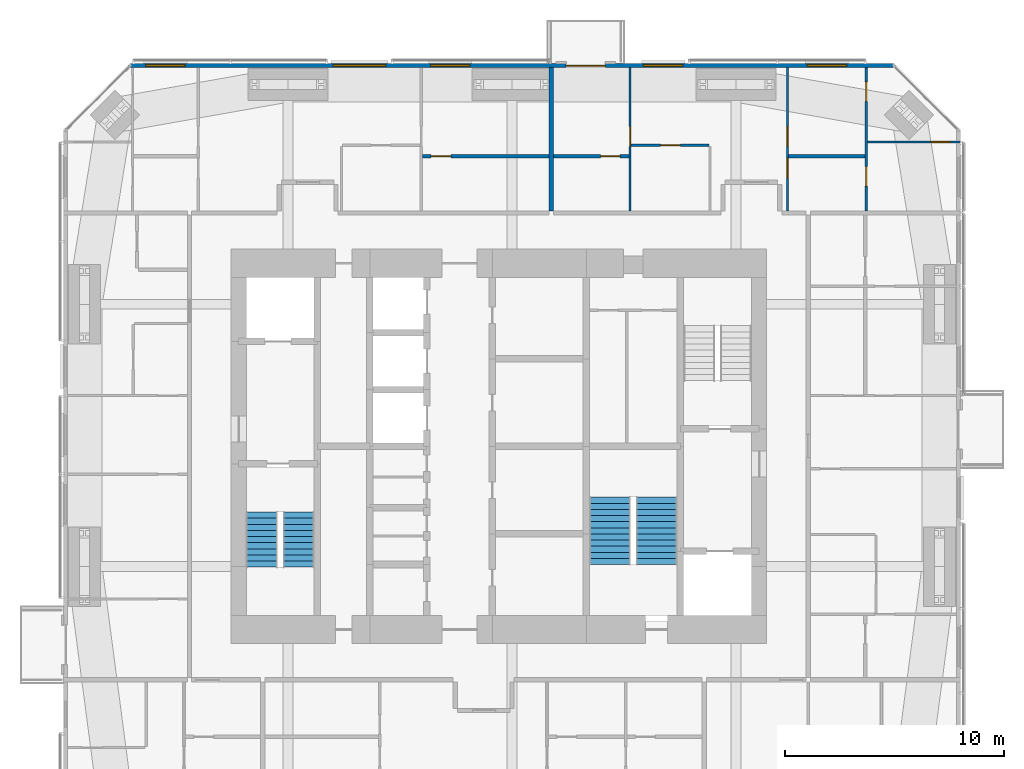
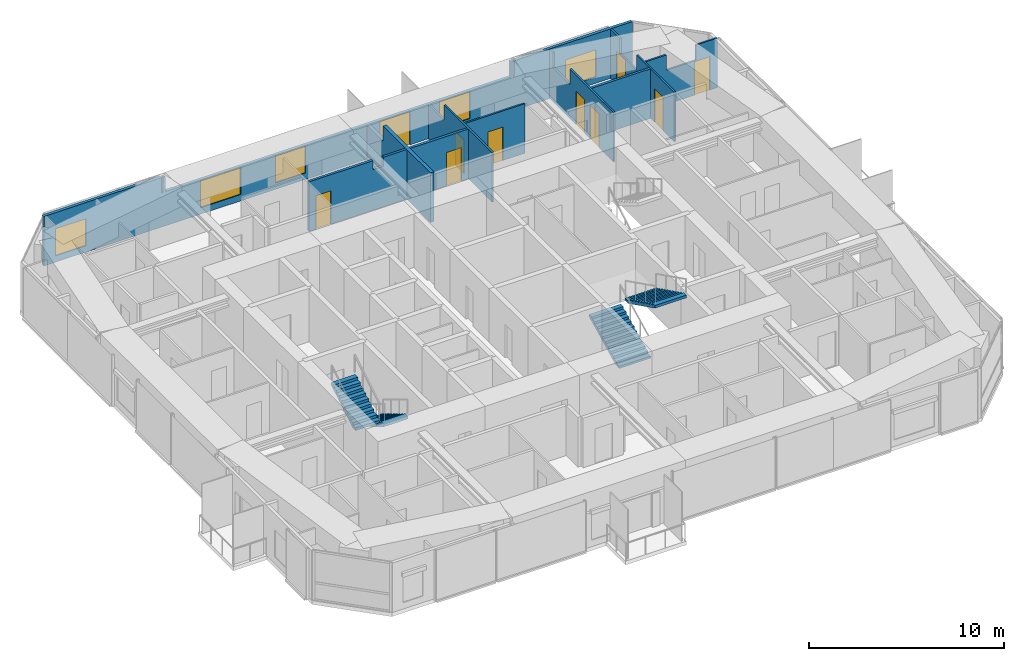
# One storey, part 21 of 23: 10 doors, 10 walls, 5 windows, 4 stair flights, 15 openings, 2 elements without a shape of their own.
"""IFC4 building model written with IfcOpenShell, lengths in metres."""

from ifc_helpers import new_model, si_unit, direction, frame, frame_2d, origin, place, context, subcontext, project, spatial, polyline, rectangle, outline, extrude, material, constituent, constituent_set, type_object, element, fill, aggregate, save


model = new_model("IFC4")

# Units and contexts
model_context = context("Model", 3, precision=1e-05, world=origin(), true_north=direction((0.0, 1.0)))
body_context = subcontext(model_context, "Body", "Model", "MODEL_VIEW")
ifc_project = project(units=[si_unit("LENGTHUNIT", "METRE"), si_unit("AREAUNIT", "SQUARE_METRE"), si_unit("VOLUMEUNIT", "CUBIC_METRE"), si_unit("PLANEANGLEUNIT", "RADIAN"), si_unit("MASSUNIT", "GRAM", prefix="KILO")], contexts=[model_context])

# Site, building, storey
site_placement = place(None, origin())
site = spatial("IfcSite", under=ifc_project, at=site_placement, CompositionType="ELEMENT")
building_placement = place(site_placement, origin())
building = spatial("IfcBuilding", under=site, at=building_placement, Name="Jalousie Tower", CompositionType="ELEMENT")
storey_placement = place(building_placement, frame((0.0, 0.0, 194.550048828125)))
storey = spatial("IfcBuildingStorey", under=building, at=storey_placement, Name="L53", CompositionType="ELEMENT", Elevation=194.550048828125)

# Wall, opening, door
ifc_material_1 = material(Name="Concrete block ASTM C90", Category="concrete")
ifc_constituent_1 = constituent(ifc_material_1, Name="Body")
ifc_material_2 = material(Name="Render")
ifc_constituent_2 = constituent(ifc_material_2, Name="Finish")
ifc_constituent_set_1 = constituent_set(constituents=[ifc_constituent_1, ifc_constituent_2])
wall_type_1 = type_object("IfcWallType", Name="BATHROOM WALL 150", PredefinedType="PLUMBINGWALL", material=ifc_constituent_set_1)
wall_1_placement = place(storey_placement, frame((28.39990234375, 31.77490234375, 0.0), z_axis=(0.0, 0.0, 1.0), x_axis=(1.0, 0.0, 0.0)))
wall_1 = element("IfcWall", 1, at=wall_1_placement, inside=storey, type_object=wall_type_1, Name="Bathroom Wall 150 L53", PredefinedType="PLUMBINGWALL", context=body_context, shape_type="SweptSolid", body=[
    extrude(outline(polyline([(0.0, 0.0), (5.800048828125, 0.0), (5.800048828125, 3.10986328125), (4.412353515625, 3.10986328125), (4.412353515625, 2.541015625), (3.78759765625, 2.541015625), (3.78759765625, 3.10986328125), (0.0, 3.10986328125), (0.0, 0.0)])), frame((0.0, 0.074951171875, 0.0), z_axis=(0.0, -1.0, 0.0), x_axis=(1.0, 0.0, 0.0)), (0.0, 0.0, 1.0), 0.14990234375),
])
opening_1_placement = place(wall_1_placement, frame((0.39990234375, 0.0, 0.0)))
opening_1 = element("IfcOpeningElement", 2, at=opening_1_placement, cuts=wall_1, Name="Opening D3", PredefinedType="OPENING", context=body_context, shape_type="SweptSolid", body=[
    extrude(rectangle(XDim=0.89990234375, YDim=2.10009765625, at=frame_2d((0.449951171875, 1.050048828125))), frame((0.0, 0.0849609375, 0.0), z_axis=(0.0, -1.0, 0.0), x_axis=(1.0, 0.0, 0.0)), (0.0, 0.0, 1.0), 0.169921875),
])
ifc_material_3 = material(Name="Timber door", Category="wood")
door_type_1 = type_object("IfcDoorType", Name="BATHROOM DOOR 900", OperationType="SINGLE_SWING_LEFT", PredefinedType="DOOR", material=ifc_material_3)
door_1_placement = place(opening_1_placement, frame((0.89990234375, 0.0, 0.0), z_axis=(0.0, 0.0, 1.0), x_axis=(-1.0, 0.0, 0.0)))
door_1 = element("IfcDoor", 3, at=door_1_placement, inside=storey, type_object=door_type_1, Name="Apartment 5304 bedroom 3 bathroom door", OperationType="SINGLE_SWING_RIGHT", OverallHeight=2.10009765625, OverallWidth=0.89990234375, PredefinedType="DOOR", context=body_context, shape_type="SweptSolid", body=[
    extrude(rectangle(XDim=0.89990234375, YDim=2.10009765625, at=frame_2d((0.449951171875, 1.050048828125))), frame((0.0, 0.02490234375, 0.0), z_axis=(0.0, -1.0, 0.0), x_axis=(1.0, 0.0, 0.0)), (0.0, 0.0, 1.0), 0.050048828125),
])
fill(opening_1, door_1)

wall_2_placement = place(storey_placement, frame((34.39990234375, 31.77490234375, 0.0), z_axis=(0.0, 0.0, 1.0), x_axis=(1.0, 0.0, 0.0)))
wall_2 = element("IfcWall", 4, at=wall_2_placement, inside=storey, type_object=wall_type_1, Name="Bathroom Wall 150 L53", PredefinedType="PLUMBINGWALL", context=body_context, shape_type="SweptSolid", body=[
    extrude(rectangle(XDim=3.4501953125, YDim=0.14990234375, at=frame_2d((1.72509765625, 0.0))), origin(), (0.0, 0.0, 1.0), 3.10986328125),
])
opening_2_placement = place(wall_2_placement, frame((2.14990234375, 0.0, 0.0)))
opening_2 = element("IfcOpeningElement", 5, at=opening_2_placement, cuts=wall_2, Name="Opening D3", PredefinedType="OPENING", context=body_context, shape_type="SweptSolid", body=[
    extrude(rectangle(XDim=0.89990234375, YDim=2.10009765625, at=frame_2d((0.449951171875, 1.050048828125))), frame((0.0, 0.0849609375, 0.0), z_axis=(0.0, -1.0, 0.0), x_axis=(1.0, 0.0, 0.0)), (0.0, 0.0, 1.0), 0.169921875),
])
door_2_placement = place(opening_2_placement, frame((0.89990234375, 0.0, 0.0), z_axis=(0.0, 0.0, 1.0), x_axis=(-1.0, 0.0, 0.0)))
door_2 = element("IfcDoor", 6, at=door_2_placement, inside=storey, type_object=door_type_1, Name="Apartment 5305 bedroom 1 bathroom door", OperationType="SINGLE_SWING_LEFT", OverallHeight=2.10009765625, OverallWidth=0.89990234375, PredefinedType="DOOR", context=body_context, shape_type="SweptSolid", body=[
    extrude(rectangle(XDim=0.89990234375, YDim=2.10009765625, at=frame_2d((0.449951171875, 1.050048828125))), frame((0.0, 0.02490234375, 0.0), z_axis=(0.0, -1.0, 0.0), x_axis=(1.0, 0.0, 0.0)), (0.0, 0.0, 1.0), 0.050048828125),
])
fill(opening_2, door_2)

# Wall
wall_3_placement = place(storey_placement, frame((45.14990234375, 31.77490234375, 0.0), z_axis=(0.0, 0.0, 1.0), x_axis=(1.0, 0.0, 0.0)))
element("IfcWall", 7, at=wall_3_placement, inside=storey, type_object=wall_type_1, Name="Bathroom Wall 150 L53", PredefinedType="PLUMBINGWALL", context=body_context, shape_type="SweptSolid", body=[
    extrude(rectangle(XDim=3.5, YDim=0.14990234375, at=frame_2d((1.75, 0.0))), origin(), (0.0, 0.0, 1.0), 3.10986328125),
])

# Wall, openings, door, windows
ifc_material_4 = material(Name="Concrete f'c 40 MPa", Category="concrete")
ifc_constituent_3 = constituent(ifc_material_4, Name="Body")
ifc_material_5 = material(Name="Render, pastel lemon")
ifc_constituent_4 = constituent(ifc_material_5, Name="Finish")
ifc_constituent_set_2 = constituent_set(constituents=[ifc_constituent_3, ifc_constituent_4])
wall_type_2 = type_object("IfcWallType", Name="EXTERNAL WALL 175 LEMON RENDER", PredefinedType="SOLIDWALL", material=ifc_constituent_set_2)
wall_4_placement = place(storey_placement, frame((49.94873046875, 35.91259765625, 0.0), z_axis=(0.0, 0.0, 1.0), x_axis=(-1.0, 0.0, 0.0)))
wall_4 = element("IfcWall", 8, at=wall_4_placement, inside=storey, type_object=wall_type_2, Name="External Wall 175 Lemon Render L53", PredefinedType="SOLIDWALL", context=body_context, shape_type="SweptSolid", body=[
    extrude(outline(polyline([(0.0, 0.0), (34.8974609375, 0.0), (34.8974609375, 3.10986328125), (27.91015625, 3.10986328125), (27.91015625, 2.14990234375), (27.8359375, 2.14990234375), (27.8359375, 3.10986328125), (27.69873046875, 3.10986328125), (27.69873046875, 2.14990234375), (7.19873046875, 2.14990234375), (7.19873046875, 3.10986328125), (7.0615234375, 3.10986328125), (7.0615234375, 2.14990234375), (6.9873046875, 2.14990234375), (6.9873046875, 3.10986328125), (0.0, 3.10986328125), (0.0, 0.0)])), frame((0.0, 0.08740234375, 0.0), z_axis=(0.0, -1.0, 0.0), x_axis=(1.0, 0.0, 0.0)), (0.0, 0.0, 1.0), 0.175048828125),
])
opening_3_placement = place(wall_4_placement, frame((2.148681640625, 0.0, 0.39990234375)))
opening_3 = element("IfcOpeningElement", 9, at=opening_3_placement, cuts=wall_4, Name="Opening W-BED170", PredefinedType="OPENING", context=body_context, shape_type="SweptSolid", body=[
    extrude(rectangle(XDim=1.800048828125, YDim=1.699951171875, at=frame_2d((0.89990234375, 0.85009765625))), frame((0.0, 0.097412109375, 0.0), z_axis=(0.0, -1.0, 0.0), x_axis=(1.0, 0.0, 0.0)), (0.0, 0.0, 1.0), 0.195068359375),
])
opening_4_placement = place(wall_4_placement, frame((9.63623046875, 0.0, 0.39990234375)))
opening_4 = element("IfcOpeningElement", 10, at=opening_4_placement, cuts=wall_4, Name="Opening W-BED170", PredefinedType="OPENING", context=body_context, shape_type="SweptSolid", body=[
    extrude(rectangle(XDim=1.800048828125, YDim=1.699951171875, at=frame_2d((0.89990234375, 0.85009765625))), frame((0.0, 0.097412109375, 0.0), z_axis=(0.0, -1.0, 0.0), x_axis=(1.0, 0.0, 0.0)), (0.0, 0.0, 1.0), 0.195068359375),
])
opening_5_placement = place(wall_4_placement, frame((13.173583984375, 0.0, 0.0)))
opening_5 = element("IfcOpeningElement", 11, at=opening_5_placement, cuts=wall_4, Name="Opening D-BAL21", PredefinedType="OPENING", context=body_context, shape_type="SweptSolid", body=[
    extrude(rectangle(XDim=1.800048828125, YDim=2.10009765625, at=frame_2d((0.89990234375, 1.050048828125))), frame((0.0, 0.097412109375, 0.0), z_axis=(0.0, -1.0, 0.0), x_axis=(1.0, 0.0, 0.0)), (0.0, 0.0, 1.0), 0.195068359375),
])
opening_6_placement = place(wall_4_placement, frame((19.373779296875, 0.0, 0.39990234375)))
opening_6 = element("IfcOpeningElement", 12, at=opening_6_placement, cuts=wall_4, Name="Opening W-BED170", PredefinedType="OPENING", context=body_context, shape_type="SweptSolid", body=[
    extrude(rectangle(XDim=1.800048828125, YDim=1.699951171875, at=frame_2d((0.89990234375, 0.85009765625))), frame((0.0, 0.097412109375, 0.0), z_axis=(0.0, -1.0, 0.0), x_axis=(1.0, 0.0, 0.0)), (0.0, 0.0, 1.0), 0.195068359375),
])
opening_7_placement = place(wall_4_placement, frame((23.2236328125, 0.0, 0.39990234375)))
opening_7 = element("IfcOpeningElement", 13, at=opening_7_placement, cuts=wall_4, Name="Opening W-LIV170", PredefinedType="OPENING", context=body_context, shape_type="SweptSolid", body=[
    extrude(rectangle(XDim=2.39990234375, YDim=1.699951171875, at=frame_2d((1.199951171875, 0.85009765625))), frame((0.0, 0.097412109375, 0.0), z_axis=(0.0, -1.0, 0.0), x_axis=(1.0, 0.0, 0.0)), (0.0, 0.0, 1.0), 0.195068359375),
])
opening_8_placement = place(wall_4_placement, frame((32.398681640625, 0.0, 0.39990234375)))
opening_8 = element("IfcOpeningElement", 14, at=opening_8_placement, cuts=wall_4, Name="Opening W-BED170", PredefinedType="OPENING", context=body_context, shape_type="SweptSolid", body=[
    extrude(rectangle(XDim=1.800048828125, YDim=1.699951171875, at=frame_2d((0.89990234375, 0.85009765625))), frame((0.0, 0.097412109375, 0.0), z_axis=(0.0, -1.0, 0.0), x_axis=(1.0, 0.0, 0.0)), (0.0, 0.0, 1.0), 0.195068359375),
])
ifc_material_6 = material(Name="Aluminium frame, impact-rated glazing", Category="aluminium")
door_type_2 = type_object("IfcDoorType", Name="BALCONY DOOR 1800x2100", OperationType="SLIDING_TO_LEFT", PredefinedType="DOOR", material=ifc_material_6)
door_3_placement = place(opening_5_placement, origin())
door_3 = element("IfcDoor", 15, at=door_3_placement, inside=storey, type_object=door_type_2, Name="Apartment 5305 bedroom 1 balcony door", OperationType="SLIDING_TO_LEFT", OverallHeight=2.10009765625, OverallWidth=1.800048828125, PredefinedType="DOOR", context=body_context, shape_type="SweptSolid", body=[
    extrude(rectangle(XDim=1.800048828125, YDim=2.10009765625, at=frame_2d((0.89990234375, 1.050048828125))), frame((0.0, 0.02490234375, 0.0), z_axis=(0.0, -1.0, 0.0), x_axis=(1.0, 0.0, 0.0)), (0.0, 0.0, 1.0), 0.050048828125),
])
fill(opening_5, door_3)
ifc_material_7 = material(Name="Aluminium frame, impact-rated glazing", Category="aluminium")
window_type_1 = type_object("IfcWindowType", Name="WINDOW BED 1800x1700", PartitioningType="SINGLE_PANEL", PredefinedType="WINDOW", material=ifc_material_7)
window_1_placement = place(opening_3_placement, origin())
window_1 = element("IfcWindow", 16, at=window_1_placement, inside=storey, type_object=window_type_1, Name="Apartment 5305 bedroom 2 window", OverallHeight=1.699951171875, OverallWidth=1.800048828125, PartitioningType="SINGLE_PANEL", PredefinedType="WINDOW", context=body_context, shape_type="SweptSolid", body=[
    extrude(rectangle(XDim=1.800048828125, YDim=1.699951171875, at=frame_2d((0.89990234375, 0.85009765625))), frame((0.0, 0.030029296875, 0.0), z_axis=(0.0, -1.0, 0.0), x_axis=(1.0, 0.0, 0.0)), (0.0, 0.0, 1.0), 0.06005859375),
])
fill(opening_3, window_1)
window_2_placement = place(opening_4_placement, origin())
window_2 = element("IfcWindow", 17, at=window_2_placement, inside=storey, type_object=window_type_1, Name="Apartment 5305 living and dining room window", OverallHeight=1.699951171875, OverallWidth=1.800048828125, PartitioningType="SINGLE_PANEL", PredefinedType="WINDOW", context=body_context, shape_type="SweptSolid", body=[
    extrude(rectangle(XDim=1.800048828125, YDim=1.699951171875, at=frame_2d((0.89990234375, 0.85009765625))), frame((0.0, 0.030029296875, 0.0), z_axis=(0.0, -1.0, 0.0), x_axis=(1.0, 0.0, 0.0)), (0.0, 0.0, 1.0), 0.06005859375),
])
fill(opening_4, window_2)
window_3_placement = place(opening_6_placement, origin())
window_3 = element("IfcWindow", 18, at=window_3_placement, inside=storey, type_object=window_type_1, Name="Apartment 5304 bedroom 3 window", OverallHeight=1.699951171875, OverallWidth=1.800048828125, PartitioningType="SINGLE_PANEL", PredefinedType="WINDOW", context=body_context, shape_type="SweptSolid", body=[
    extrude(rectangle(XDim=1.800048828125, YDim=1.699951171875, at=frame_2d((0.89990234375, 0.85009765625))), frame((0.0, 0.030029296875, 0.0), z_axis=(0.0, -1.0, 0.0), x_axis=(1.0, 0.0, 0.0)), (0.0, 0.0, 1.0), 0.06005859375),
])
fill(opening_6, window_3)
window_4_placement = place(opening_8_placement, origin())
window_4 = element("IfcWindow", 19, at=window_4_placement, inside=storey, type_object=window_type_1, Name="Apartment 5304 bedroom 2 window", OverallHeight=1.699951171875, OverallWidth=1.800048828125, PartitioningType="SINGLE_PANEL", PredefinedType="WINDOW", context=body_context, shape_type="SweptSolid", body=[
    extrude(rectangle(XDim=1.800048828125, YDim=1.699951171875, at=frame_2d((0.89990234375, 0.85009765625))), frame((0.0, 0.030029296875, 0.0), z_axis=(0.0, -1.0, 0.0), x_axis=(1.0, 0.0, 0.0)), (0.0, 0.0, 1.0), 0.06005859375),
])
fill(opening_8, window_4)
ifc_material_8 = material(Name="Aluminium frame, impact-rated glazing", Category="aluminium")
window_type_2 = type_object("IfcWindowType", Name="WINDOW LIV 2400x1700", PartitioningType="DOUBLE_PANEL_VERTICAL", PredefinedType="WINDOW", material=ifc_material_8)
window_5_placement = place(opening_7_placement, origin())
window_5 = element("IfcWindow", 20, at=window_5_placement, inside=storey, type_object=window_type_2, Name="Apartment 5304 living and dining room window", OverallHeight=1.699951171875, OverallWidth=2.39990234375, PartitioningType="SINGLE_PANEL", PredefinedType="WINDOW", context=body_context, shape_type="SweptSolid", body=[
    extrude(rectangle(XDim=2.39990234375, YDim=1.699951171875, at=frame_2d((1.199951171875, 0.85009765625))), frame((0.0, 0.030029296875, 0.0), z_axis=(0.0, -1.0, 0.0), x_axis=(1.0, 0.0, 0.0)), (0.0, 0.0, 1.0), 0.06005859375),
])
fill(opening_7, window_5)

# Wall, opening, door
ifc_material_9 = material(Name="Gypsum board", Category="gypsum")
ifc_constituent_5 = constituent(ifc_material_9, Name="Body")
ifc_material_10 = material(Name="Light-gauge steel studs ASTM A653 SS Grade 33", Category="steel")
ifc_constituent_6 = constituent(ifc_material_10, Name="Framing")
ifc_constituent_set_3 = constituent_set(constituents=[ifc_constituent_5, ifc_constituent_6])
wall_type_3 = type_object("IfcWallType", Name="PARTITION 100", PredefinedType="PARTITIONING", material=ifc_constituent_set_3)
wall_5_placement = place(storey_placement, frame((37.89990234375, 35.824951171875, 0.0), z_axis=(0.0, 0.0, 1.0), x_axis=(0.0, -1.0, 0.0)))
wall_5 = element("IfcWall", 21, at=wall_5_placement, inside=storey, type_object=wall_type_3, Name="Partition 100 L53", PredefinedType="PARTITIONING", context=body_context, shape_type="SweptSolid", body=[
    extrude(outline(polyline([(0.0, 0.0), (6.550048828125, 0.0), (6.550048828125, 3.10986328125), (1.635009765625, 3.10986328125), (1.635009765625, 2.14990234375), (0.0, 2.14990234375), (0.0, 3.10986328125), (0.0, 0.0)])), frame((0.0, 0.050048828125, 0.0), z_axis=(0.0, -1.0, 0.0), x_axis=(1.0, 0.0, 0.0)), (0.0, 0.0, 1.0), 0.10009765625),
])
opening_9_placement = place(wall_5_placement, frame((2.699951171875, 0.0, 0.0)))
opening_9 = element("IfcOpeningElement", 22, at=opening_9_placement, cuts=wall_5, Name="Opening D2", PredefinedType="OPENING", context=body_context, shape_type="SweptSolid", body=[
    extrude(rectangle(XDim=0.89990234375, YDim=2.10009765625, at=frame_2d((0.449951171875, 1.050048828125))), frame((0.0, 0.06005859375, 0.0), z_axis=(0.0, -1.0, 0.0), x_axis=(1.0, 0.0, 0.0)), (0.0, 0.0, 1.0), 0.1201171875),
])
ifc_material_11 = material(Name="Timber door", Category="wood")
door_type_3 = type_object("IfcDoorType", Name="BEDROOM DOOR 900", OperationType="SINGLE_SWING_LEFT", PredefinedType="DOOR", material=ifc_material_11)
door_4_placement = place(opening_9_placement, frame((0.89990234375, 0.0, 0.0), z_axis=(0.0, 0.0, 1.0), x_axis=(-1.0, 0.0, 0.0)))
door_4 = element("IfcDoor", 23, at=door_4_placement, inside=storey, type_object=door_type_3, Name="Apartment 5305 bedroom 1 door", OperationType="SINGLE_SWING_LEFT", OverallHeight=2.10009765625, OverallWidth=0.89990234375, PredefinedType="DOOR", context=body_context, shape_type="SweptSolid", body=[
    extrude(rectangle(XDim=0.89990234375, YDim=2.10009765625, at=frame_2d((0.449951171875, 1.050048828125))), frame((0.0, 0.02490234375, 0.0), z_axis=(0.0, -1.0, 0.0), x_axis=(1.0, 0.0, 0.0)), (0.0, 0.0, 1.0), 0.050048828125),
])
fill(opening_9, door_4)

# Wall, openings, doors
wall_6_placement = place(storey_placement, frame((45.10009765625, 35.824951171875, 0.0), z_axis=(0.0, 0.0, 1.0), x_axis=(0.0, -1.0, 0.0)))
wall_6 = element("IfcWall", 24, at=wall_6_placement, inside=storey, type_object=wall_type_3, Name="Partition 100 L53", PredefinedType="PARTITIONING", context=body_context, shape_type="SweptSolid", body=[
    extrude(outline(polyline([(0.0, 0.0), (6.550048828125, 0.0), (6.550048828125, 3.10986328125), (2.064208984375, 3.10986328125), (2.064208984375, 2.14990234375), (0.317626953125, 2.14990234375), (0.317626953125, 3.10986328125), (0.0, 3.10986328125), (0.0, 0.0)])), frame((0.0, 0.050048828125, 0.0), z_axis=(0.0, -1.0, 0.0), x_axis=(1.0, 0.0, 0.0)), (0.0, 0.0, 1.0), 0.10009765625),
])
opening_10_placement = place(wall_6_placement, frame((2.699951171875, 0.0, 0.0)))
opening_10 = element("IfcOpeningElement", 25, at=opening_10_placement, cuts=wall_6, Name="Opening D2", PredefinedType="OPENING", context=body_context, shape_type="SweptSolid", body=[
    extrude(rectangle(XDim=0.89990234375, YDim=2.10009765625, at=frame_2d((0.449951171875, 1.050048828125))), frame((0.0, 0.06005859375, 0.0), z_axis=(0.0, -1.0, 0.0), x_axis=(1.0, 0.0, 0.0)), (0.0, 0.0, 1.0), 0.1201171875),
])
opening_11_placement = place(wall_6_placement, frame((4.14990234375, 0.0, 0.0)))
opening_11 = element("IfcOpeningElement", 26, at=opening_11_placement, cuts=wall_6, Name="Opening D7", PredefinedType="OPENING", context=body_context, shape_type="SweptSolid", body=[
    extrude(rectangle(XDim=0.89990234375, YDim=2.10009765625, at=frame_2d((0.449951171875, 1.050048828125))), frame((0.0, 0.06005859375, 0.0), z_axis=(0.0, -1.0, 0.0), x_axis=(1.0, 0.0, 0.0)), (0.0, 0.0, 1.0), 0.1201171875),
])
door_5_placement = place(opening_10_placement, origin())
door_5 = element("IfcDoor", 27, at=door_5_placement, inside=storey, type_object=door_type_3, Name="Apartment 5305 bedroom 2 door", OperationType="SINGLE_SWING_RIGHT", OverallHeight=2.10009765625, OverallWidth=0.89990234375, PredefinedType="DOOR", context=body_context, shape_type="SweptSolid", body=[
    extrude(rectangle(XDim=0.89990234375, YDim=2.10009765625, at=frame_2d((0.449951171875, 1.050048828125))), frame((0.0, 0.02490234375, 0.0), z_axis=(0.0, -1.0, 0.0), x_axis=(1.0, 0.0, 0.0)), (0.0, 0.0, 1.0), 0.050048828125),
])
fill(opening_10, door_5)
ifc_material_12 = material(Name="Timber door", Category="wood")
door_type_4 = type_object("IfcDoorType", Name="INTERNAL DOOR 900", OperationType="SINGLE_SWING_LEFT", PredefinedType="DOOR", material=ifc_material_12)
door_6_placement = place(opening_11_placement, origin())
door_6 = element("IfcDoor", 28, at=door_6_placement, inside=storey, type_object=door_type_4, Name="Apartment 5305 bathroom door", OperationType="SINGLE_SWING_LEFT", OverallHeight=2.10009765625, OverallWidth=0.89990234375, PredefinedType="DOOR", context=body_context, shape_type="SweptSolid", body=[
    extrude(rectangle(XDim=0.89990234375, YDim=2.10009765625, at=frame_2d((0.449951171875, 1.050048828125))), frame((0.0, 0.02490234375, 0.0), z_axis=(0.0, -1.0, 0.0), x_axis=(1.0, 0.0, 0.0)), (0.0, 0.0, 1.0), 0.050048828125),
])
fill(opening_11, door_6)

wall_7_placement = place(storey_placement, frame((48.699951171875, 35.824951171875, 0.0), z_axis=(0.0, 0.0, 1.0), x_axis=(0.0, -1.0, 0.0)))
wall_7 = element("IfcWall", 29, at=wall_7_placement, inside=storey, type_object=wall_type_3, Name="Partition 100 L53", PredefinedType="PARTITIONING", context=body_context, shape_type="SweptSolid", body=[
    extrude(outline(polyline([(0.0, 0.0), (6.550048828125, 0.0), (6.550048828125, 3.10986328125), (2.701416015625, 3.10986328125), (2.701416015625, 2.14990234375), (0.95458984375, 2.14990234375), (0.95458984375, 3.10986328125), (0.0, 3.10986328125), (0.0, 0.0)])), frame((0.0, 0.050048828125, 0.0), z_axis=(0.0, -1.0, 0.0), x_axis=(1.0, 0.0, 0.0)), (0.0, 0.0, 1.0), 0.10009765625),
])
opening_12_placement = place(wall_7_placement, frame((0.64990234375, 0.0, 0.0)))
opening_12 = element("IfcOpeningElement", 30, at=opening_12_placement, cuts=wall_7, Name="Opening D2", PredefinedType="OPENING", context=body_context, shape_type="SweptSolid", body=[
    extrude(rectangle(XDim=0.89990234375, YDim=2.10009765625, at=frame_2d((0.449951171875, 1.050048828125))), frame((0.0, 0.06005859375, 0.0), z_axis=(0.0, -1.0, 0.0), x_axis=(1.0, 0.0, 0.0)), (0.0, 0.0, 1.0), 0.1201171875),
])
opening_13_placement = place(wall_7_placement, frame((4.52734375, 0.0, 0.0)))
opening_13 = element("IfcOpeningElement", 31, at=opening_13_placement, cuts=wall_7, Name="Opening D3", PredefinedType="OPENING", context=body_context, shape_type="SweptSolid", body=[
    extrude(rectangle(XDim=0.89990234375, YDim=2.10009765625, at=frame_2d((0.449951171875, 1.050048828125))), frame((0.0, 0.06005859375, 0.0), z_axis=(0.0, -1.0, 0.0), x_axis=(1.0, 0.0, 0.0)), (0.0, 0.0, 1.0), 0.1201171875),
])
door_7_placement = place(opening_13_placement, frame((0.89990234375, 0.0, 0.0), z_axis=(0.0, 0.0, 1.0), x_axis=(-1.0, 0.0, 0.0)))
door_7 = element("IfcDoor", 32, at=door_7_placement, inside=storey, type_object=door_type_1, Name="Apartment 5305 bedroom 3 bathroom door", OperationType="SINGLE_SWING_RIGHT", OverallHeight=2.10009765625, OverallWidth=0.89990234375, PredefinedType="DOOR", context=body_context, shape_type="SweptSolid", body=[
    extrude(rectangle(XDim=0.89990234375, YDim=2.10009765625, at=frame_2d((0.449951171875, 1.050048828125))), frame((0.0, 0.02490234375, 0.0), z_axis=(0.0, -1.0, 0.0), x_axis=(1.0, 0.0, 0.0)), (0.0, 0.0, 1.0), 0.050048828125),
])
fill(opening_13, door_7)
door_8_placement = place(opening_12_placement, frame((0.89990234375, 0.0, 0.0), z_axis=(0.0, 0.0, 1.0), x_axis=(-1.0, 0.0, 0.0)))
door_8 = element("IfcDoor", 33, at=door_8_placement, inside=storey, type_object=door_type_3, Name="Apartment 5305 bedroom 3 door", OperationType="SINGLE_SWING_RIGHT", OverallHeight=2.10009765625, OverallWidth=0.89990234375, PredefinedType="DOOR", context=body_context, shape_type="SweptSolid", body=[
    extrude(rectangle(XDim=0.89990234375, YDim=2.10009765625, at=frame_2d((0.449951171875, 1.050048828125))), frame((0.0, 0.02490234375, 0.0), z_axis=(0.0, -1.0, 0.0), x_axis=(1.0, 0.0, 0.0)), (0.0, 0.0, 1.0), 0.050048828125),
])
fill(opening_12, door_8)

# Wall, opening, door
wall_8_placement = place(storey_placement, frame((48.75, 32.420166015625, 0.0), z_axis=(0.0, 0.0, 1.0), x_axis=(1.0, 0.0, 0.0)))
wall_8 = element("IfcWall", 34, at=wall_8_placement, inside=storey, type_object=wall_type_3, Name="Partition 100 L53", PredefinedType="PARTITIONING", context=body_context, shape_type="SweptSolid", body=[
    extrude(outline(polyline([(0.0, 0.0), (4.25, 0.0), (4.25, 3.10986328125), (2.9716796875, 3.10986328125), (2.9716796875, 2.14990234375), (1.2294921875, 2.14990234375), (1.2294921875, 3.10986328125), (0.0, 3.10986328125), (0.0, 0.0)])), frame((0.0, 0.050048828125, 0.0), z_axis=(0.0, -1.0, 0.0), x_axis=(1.0, 0.0, 0.0)), (0.0, 0.0, 1.0), 0.10009765625),
])
opening_14_placement = place(wall_8_placement, frame((2.89990234375, 0.0, 0.0)))
opening_14 = element("IfcOpeningElement", 35, at=opening_14_placement, cuts=wall_8, Name="Opening D7", PredefinedType="OPENING", context=body_context, shape_type="SweptSolid", body=[
    extrude(rectangle(XDim=0.89990234375, YDim=2.10009765625, at=frame_2d((0.449951171875, 1.050048828125))), frame((0.0, 0.06005859375, 0.0), z_axis=(0.0, -1.0, 0.0), x_axis=(1.0, 0.0, 0.0)), (0.0, 0.0, 1.0), 0.1201171875),
])
door_9_placement = place(opening_14_placement, frame((0.89990234375, 0.0, 0.0), z_axis=(0.0, 0.0, 1.0), x_axis=(-1.0, 0.0, 0.0)))
door_9 = element("IfcDoor", 36, at=door_9_placement, inside=storey, type_object=door_type_4, Name="Apartment 5305 bedroom 3 dressing hall door", OperationType="SINGLE_SWING_LEFT", OverallHeight=2.10009765625, OverallWidth=0.89990234375, PredefinedType="DOOR", context=body_context, shape_type="SweptSolid", body=[
    extrude(rectangle(XDim=0.89990234375, YDim=2.10009765625, at=frame_2d((0.449951171875, 1.050048828125))), frame((0.0, 0.02490234375, 0.0), z_axis=(0.0, -1.0, 0.0), x_axis=(1.0, 0.0, 0.0)), (0.0, 0.0, 1.0), 0.050048828125),
])
fill(opening_14, door_9)

wall_9_placement = place(storey_placement, frame((37.949951171875, 32.27490234375, 0.0), z_axis=(0.0, 0.0, 1.0), x_axis=(1.0, 0.0, 0.0)))
wall_9 = element("IfcWall", 37, at=wall_9_placement, inside=storey, type_object=wall_type_3, Name="Partition 100 L53", PredefinedType="PARTITIONING", context=body_context, shape_type="SweptSolid", body=[
    extrude(rectangle(XDim=3.550048828125, YDim=0.10009765625, at=frame_2d((1.77490234375, 0.0))), origin(), (0.0, 0.0, 1.0), 3.10986328125),
])
opening_15_placement = place(wall_9_placement, frame((1.35009765625, 0.0, 0.0)))
opening_15 = element("IfcOpeningElement", 38, at=opening_15_placement, cuts=wall_9, Name="Opening D7", PredefinedType="OPENING", context=body_context, shape_type="SweptSolid", body=[
    extrude(rectangle(XDim=0.89990234375, YDim=2.10009765625, at=frame_2d((0.449951171875, 1.050048828125))), frame((0.0, 0.06005859375, 0.0), z_axis=(0.0, -1.0, 0.0), x_axis=(1.0, 0.0, 0.0)), (0.0, 0.0, 1.0), 0.1201171875),
])
door_10_placement = place(opening_15_placement, origin())
door_10 = element("IfcDoor", 39, at=door_10_placement, inside=storey, type_object=door_type_4, Name="Apartment 5305 kitchen door", OperationType="SINGLE_SWING_LEFT", OverallHeight=2.10009765625, OverallWidth=0.89990234375, PredefinedType="DOOR", context=body_context, shape_type="SweptSolid", body=[
    extrude(rectangle(XDim=0.89990234375, YDim=2.10009765625, at=frame_2d((0.449951171875, 1.050048828125))), frame((0.0, 0.02490234375, 0.0), z_axis=(0.0, -1.0, 0.0), x_axis=(1.0, 0.0, 0.0)), (0.0, 0.0, 1.0), 0.050048828125),
])
fill(opening_15, door_10)

# Wall
ifc_material_13 = material(Name="Concrete block ASTM C90", Category="concrete")
ifc_constituent_7 = constituent(ifc_material_13, Name="Body")
ifc_material_14 = material(Name="Render")
ifc_constituent_8 = constituent(ifc_material_14, Name="Finish")
ifc_constituent_set_4 = constituent_set(constituents=[ifc_constituent_7, ifc_constituent_8])
wall_type_4 = type_object("IfcWallType", Name="PARTY WALL 200", PredefinedType="PARTITIONING", material=ifc_constituent_set_4)
wall_10_placement = place(storey_placement, frame((34.300048828125, 35.824951171875, 0.0), z_axis=(0.0, 0.0, 1.0), x_axis=(0.0, -1.0, 0.0)))
element("IfcWall", 40, at=wall_10_placement, inside=storey, type_object=wall_type_4, Name="Party Wall 200 L53", PredefinedType="PARTITIONING", context=body_context, shape_type="SweptSolid", body=[
    extrude(outline(polyline([(0.0, 0.0), (6.550048828125, 0.0), (6.550048828125, 3.10986328125), (1.68505859375, 3.10986328125), (1.68505859375, 2.14990234375), (0.0, 2.14990234375), (0.0, 3.10986328125), (0.0, 0.0)])), frame((0.0, 0.10009765625, 0.0), z_axis=(0.0, -1.0, 0.0), x_axis=(1.0, 0.0, 0.0)), (0.0, 0.0, 1.0), 0.199951171875),
])

# Stair, stair flights
ifc_material_15 = material(Name="Concrete f'c 40 MPa", Category="concrete")
stair_type = type_object("IfcStairType", Name="EXIT STAIR", PredefinedType="HALF_TURN_STAIR", material=ifc_material_15)
stair_1_placement = place(storey_placement, origin())
stair_1 = element("IfcStair", 41, at=stair_1_placement, inside=storey, type_object=stair_type, Name="Exit stair A L53", PredefinedType="HALF_TURN_STAIR")
ifc_material_16 = material(Name="Concrete f'c 40 MPa", Category="concrete")
stair_flight_type = type_object("IfcStairFlightType", Name="STAIR FLIGHT", PredefinedType="STRAIGHT", material=ifc_material_16)
stair_flight_1_placement = place(storey_placement, frame((22.737548828125, 15.49755859375, 0.0), z_axis=(0.0, 0.0, 1.0), x_axis=(0.0, -1.0, 0.0)))
stair_flight_1 = element("IfcStairFlight", 42, at=stair_flight_1_placement, type_object=stair_flight_type, Name="ST-A flight 1", NumberOfRisers=10, NumberOfTreads=9, PredefinedType="STRAIGHT", RiserHeight=0.1675, TreadLength=0.28, context=body_context, shape_type="SweptSolid", body=[
    extrude(outline(polyline([(0.0, 0.0), (0.0, 0.16748046875), (0.280029296875, 0.16748046875), (0.280029296875, 0.3349609375), (0.56005859375, 0.3349609375), (0.56005859375, 0.50244140625), (0.840087890625, 0.50244140625), (0.840087890625, 0.669921875), (1.1201171875, 0.669921875), (1.1201171875, 0.83740234375), (1.39990234375, 0.83740234375), (1.39990234375, 1.0048828125), (1.679931640625, 1.0048828125), (1.679931640625, 1.172607421875), (1.9599609375, 1.172607421875), (1.9599609375, 1.340087890625), (2.239990234375, 1.340087890625), (2.239990234375, 1.507568359375), (2.52001953125, 1.507568359375), (2.52001953125, 1.675048828125), (2.52001953125, 1.332763671875), (0.2919921875, 0.0), (0.0, 0.0)])), frame((0.0, 0.71240234375, 0.0), z_axis=(0.0, -1.0, 0.0), x_axis=(1.0, 0.0, 0.0)), (0.0, 0.0, 1.0), 1.425048828125),
])
stair_flight_2_placement = place(storey_placement, frame((21.0625, 12.9775390625, 1.675048828125), z_axis=(0.0, 0.0, 1.0), x_axis=(0.0, 1.0, 0.0)))
stair_flight_2 = element("IfcStairFlight", 43, at=stair_flight_2_placement, type_object=stair_flight_type, Name="ST-A flight 2", NumberOfRisers=10, NumberOfTreads=9, PredefinedType="STRAIGHT", RiserHeight=0.1675, TreadLength=0.28, context=body_context, shape_type="SweptSolid", body=[
    extrude(outline(polyline([(0.0, 0.0), (0.0, 0.16748046875), (0.280029296875, 0.16748046875), (0.280029296875, 0.3349609375), (0.56005859375, 0.3349609375), (0.56005859375, 0.50244140625), (0.840087890625, 0.50244140625), (0.840087890625, 0.669921875), (1.1201171875, 0.669921875), (1.1201171875, 0.83740234375), (1.39990234375, 0.83740234375), (1.39990234375, 1.0048828125), (1.679931640625, 1.0048828125), (1.679931640625, 1.172607421875), (1.9599609375, 1.172607421875), (1.9599609375, 1.340087890625), (2.239990234375, 1.340087890625), (2.239990234375, 1.507568359375), (2.52001953125, 1.507568359375), (2.52001953125, 1.675048828125), (2.52001953125, 1.332763671875), (0.2919921875, 0.0), (0.0, 0.0)])), frame((0.0, 0.71240234375, 0.0), z_axis=(0.0, -1.0, 0.0), x_axis=(1.0, 0.0, 0.0)), (0.0, 0.0, 1.0), 1.425048828125),
])
aggregate(stair_1, [stair_flight_1, stair_flight_2])

stair_2_placement = place(storey_placement, origin())
stair_2 = element("IfcStair", 44, at=stair_2_placement, inside=storey, type_object=stair_type, Name="Exit stair C L53", PredefinedType="HALF_TURN_STAIR")
stair_flight_3_placement = place(storey_placement, frame((36.987548828125, 13.097412109375, 0.0), z_axis=(0.0, 0.0, 1.0), x_axis=(0.0, 1.0, 0.0)))
stair_flight_3 = element("IfcStairFlight", 45, at=stair_flight_3_placement, type_object=stair_flight_type, Name="ST-C flight 1", NumberOfRisers=12, NumberOfTreads=11, PredefinedType="STRAIGHT", RiserHeight=0.139583333, TreadLength=0.28, context=body_context, shape_type="SweptSolid", body=[
    extrude(outline(polyline([(0.0, 0.0), (0.0, 0.1396484375), (0.280029296875, 0.1396484375), (0.280029296875, 0.279052734375), (0.56005859375, 0.279052734375), (0.56005859375, 0.418701171875), (0.840087890625, 0.418701171875), (0.840087890625, 0.558349609375), (1.1201171875, 0.558349609375), (1.1201171875, 0.697998046875), (1.39990234375, 0.697998046875), (1.39990234375, 0.83740234375), (1.679931640625, 0.83740234375), (1.679931640625, 0.97705078125), (1.9599609375, 0.97705078125), (1.9599609375, 1.11669921875), (2.239990234375, 1.11669921875), (2.239990234375, 1.25634765625), (2.52001953125, 1.25634765625), (2.52001953125, 1.395751953125), (2.800048828125, 1.395751953125), (2.800048828125, 1.535400390625), (3.080078125, 1.535400390625), (3.080078125, 1.675048828125), (3.080078125, 1.367919921875), (0.3359375, 0.0), (0.0, 0.0)])), frame((0.0, 0.9375, 0.0), z_axis=(0.0, -1.0, 0.0), x_axis=(1.0, 0.0, 0.0)), (0.0, 0.0, 1.0), 1.875),
])
stair_flight_4_placement = place(storey_placement, frame((39.112548828125, 16.177490234375, 1.675048828125), z_axis=(0.0, 0.0, 1.0), x_axis=(0.0, -1.0, 0.0)))
stair_flight_4 = element("IfcStairFlight", 46, at=stair_flight_4_placement, type_object=stair_flight_type, Name="ST-C flight 2", NumberOfRisers=12, NumberOfTreads=11, PredefinedType="STRAIGHT", RiserHeight=0.139583333, TreadLength=0.28, context=body_context, shape_type="SweptSolid", body=[
    extrude(outline(polyline([(0.0, 0.0), (0.0, 0.1396484375), (0.280029296875, 0.1396484375), (0.280029296875, 0.279052734375), (0.56005859375, 0.279052734375), (0.56005859375, 0.418701171875), (0.840087890625, 0.418701171875), (0.840087890625, 0.558349609375), (1.1201171875, 0.558349609375), (1.1201171875, 0.697998046875), (1.39990234375, 0.697998046875), (1.39990234375, 0.83740234375), (1.679931640625, 0.83740234375), (1.679931640625, 0.97705078125), (1.9599609375, 0.97705078125), (1.9599609375, 1.11669921875), (2.239990234375, 1.11669921875), (2.239990234375, 1.25634765625), (2.52001953125, 1.25634765625), (2.52001953125, 1.395751953125), (2.800048828125, 1.395751953125), (2.800048828125, 1.535400390625), (3.080078125, 1.535400390625), (3.080078125, 1.675048828125), (3.080078125, 1.367919921875), (0.3359375, 0.0), (0.0, 0.0)])), frame((0.0, 0.9375, 0.0), z_axis=(0.0, -1.0, 0.0), x_axis=(1.0, 0.0, 0.0)), (0.0, 0.0, 1.0), 1.875),
])
aggregate(stair_2, [stair_flight_3, stair_flight_4])

save(model, "model.ifc")
